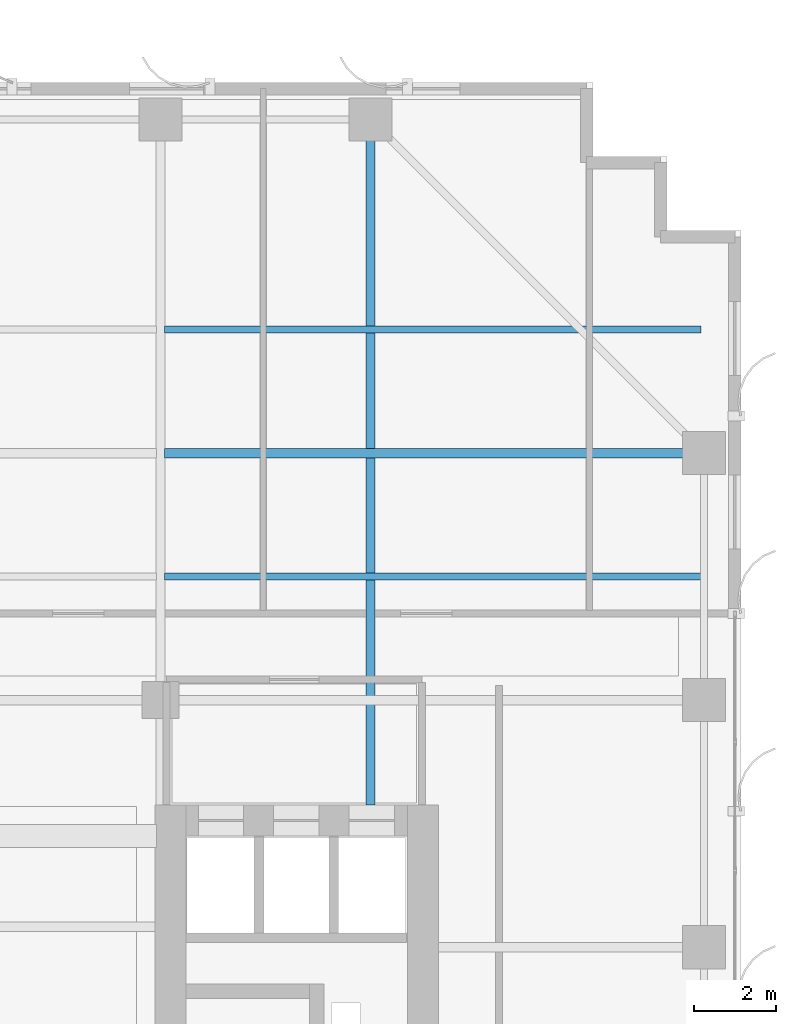
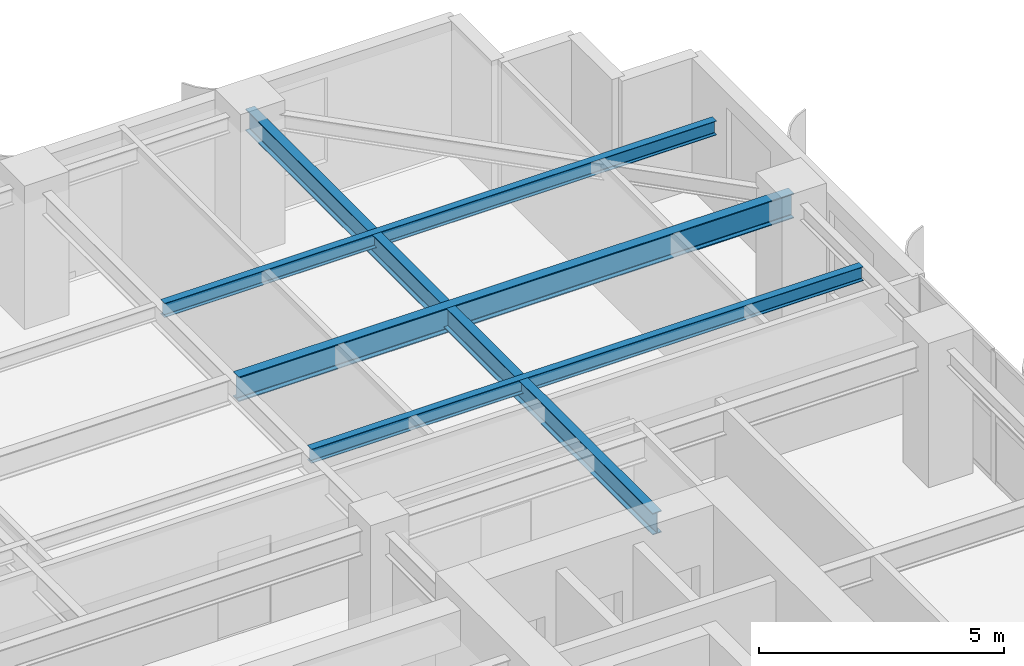
# One storey, part 19 of 28: 4 beams.
"""IFC4 building model written with IfcOpenShell, lengths in metres."""

from ifc_helpers import new_model, si_unit, direction, frame, origin, origin_2d, place, context, subcontext, project, spatial, i_section, extrude, source, transform, mapped, material, material_profile, profile_set, type_object, element, save


model = new_model("IFC4")

# Units and contexts
model_context = context("Model", 3, precision=1e-05, world=origin(), true_north=direction((0.0, 1.0)))
body_context = subcontext(model_context, "Body", "Model", "MODEL_VIEW")
ifc_project = project(units=[si_unit("LENGTHUNIT", "METRE"), si_unit("AREAUNIT", "SQUARE_METRE"), si_unit("VOLUMEUNIT", "CUBIC_METRE"), si_unit("PLANEANGLEUNIT", "RADIAN"), si_unit("MASSUNIT", "GRAM", prefix="KILO")], contexts=[model_context])

# Site, building, storey
site_placement = place(None, origin())
site = spatial("IfcSite", under=ifc_project, at=site_placement, CompositionType="ELEMENT")
building_placement = place(site_placement, origin())
building = spatial("IfcBuilding", under=site, at=building_placement, Name="Khoralis Quay Care Tower", CompositionType="ELEMENT")
storey_placement = place(building_placement, frame((0.0, 0.0, 144.89990234375)))
storey = spatial("IfcBuildingStorey", under=building, at=storey_placement, Name="L38", CompositionType="ELEMENT", Elevation=144.89990234375)

# Beams
ifc_material = material(Name="Steel S355", Category="steel")
ifc_material_profile_1 = material_profile(ifc_material, i_section(OverallWidth=0.22998046875, OverallDepth=0.616943359375, WebThickness=0.01318359375, FlangeThickness=0.022216796875, FilletRadius=0.01806640625, at=origin_2d()), Name="Steel S355")
ifc_profile_set_1 = profile_set([ifc_material_profile_1], Name="Steel S355")
beam_type_1 = type_object("IfcBeamType", Name="BM-W610X140", PredefinedType="BEAM", material=ifc_profile_set_1)
shared_shape_1 = source(origin(), body_context, "Body", "SweptSolid", [
    extrude(i_section(OverallWidth=0.22998046875, OverallDepth=0.616943359375, WebThickness=0.01318359375, FlangeThickness=0.022216796875, FilletRadius=0.01806640625, at=origin_2d()), origin(), (0.0, 0.0, 1.0), 13.106201171875),
])
beam_1_placement = place(storey_placement, frame((30.993896484375, 36.0, 2.9716796875), z_axis=(1.0, 0.0, 0.0), x_axis=(0.0, 1.0, 0.0)))
element("IfcBeam", 1, at=beam_1_placement, inside=storey, type_object=beam_type_1, Name="BM-TGXE-L38-360", PredefinedType="BEAM", context=body_context, shape_type="MappedRepresentation", body=[
    mapped(shared_shape_1, transform((0.0, 0.0, 0.0), scale=1.0)),
])
ifc_material_profile_2 = material_profile(ifc_material, i_section(OverallWidth=0.2119140625, OverallDepth=0.5439453125, WebThickness=0.01318359375, FlangeThickness=0.021240234375, FilletRadius=0.01611328125, at=origin_2d()), Name="Steel S355")
ifc_profile_set_2 = profile_set([ifc_material_profile_2], Name="Steel S355")
beam_type_2 = type_object("IfcBeamType", Name="BM-W530X123", PredefinedType="BEAM", material=ifc_profile_set_2)
shared_shape_2 = source(origin(), body_context, "Body", "SweptSolid", [
    extrude(i_section(OverallWidth=0.2119140625, OverallDepth=0.5439453125, WebThickness=0.01318359375, FlangeThickness=0.021240234375, FilletRadius=0.01611328125, at=origin_2d()), origin(), (0.0, 0.0, 1.0), 16.652099609375),
])
beam_2_placement = place(storey_placement, frame((36.0, 27.447998046875, 3.008056640625), z_axis=(0.0, 1.0, 0.0), x_axis=(-1.0, 0.0, 0.0)))
element("IfcBeam", 2, at=beam_2_placement, inside=storey, type_object=beam_type_2, Name="BM-TGYN-L38-360", PredefinedType="BEAM", context=body_context, shape_type="MappedRepresentation", body=[
    mapped(shared_shape_2, transform((0.0, 0.0, 0.0), scale=1.0)),
])
ifc_material_profile_3 = material_profile(ifc_material, i_section(OverallWidth=0.1708984375, OverallDepth=0.35498046875, WebThickness=0.007080078125, FlangeThickness=0.01171875, FilletRadius=0.012939453125, at=origin_2d()), Name="Steel S355")
ifc_profile_set_3 = profile_set([ifc_material_profile_3], Name="Steel S355")
beam_type_3 = type_object("IfcBeamType", Name="BM-W360X51", PredefinedType="JOIST", material=ifc_profile_set_3)
shared_shape_3 = source(origin(), body_context, "Body", "SweptSolid", [
    extrude(i_section(OverallWidth=0.1708984375, OverallDepth=0.35498046875, WebThickness=0.007080078125, FlangeThickness=0.01171875, FilletRadius=0.012939453125, at=origin_2d()), origin(), (0.0, 0.0, 1.0), 13.030029296875),
])
for number, where, z_axis, x_axis, name in (
    (3, (30.993896484375, 33.0, 3.1025390625), (1.0, 0.0, 0.0), (0.0, 1.0, 0.0), "BM-TJS-L38-29"),
    (4, (30.993896484375, 39.0, 3.1025390625), (1.0, 0.0, 0.0), (0.0, 1.0, 0.0), "BM-TJS-L38-32"),
):
    element("IfcBeam", number, at=place(storey_placement, frame(where, z_axis=z_axis, x_axis=x_axis)), inside=storey, type_object=beam_type_3, Name=name, PredefinedType="JOIST", context=body_context, shape_type="MappedRepresentation", body=[
        mapped(shared_shape_3, transform((0.0, 0.0, 0.0), scale=1.0)),
    ])

save(model, "model.ifc")
